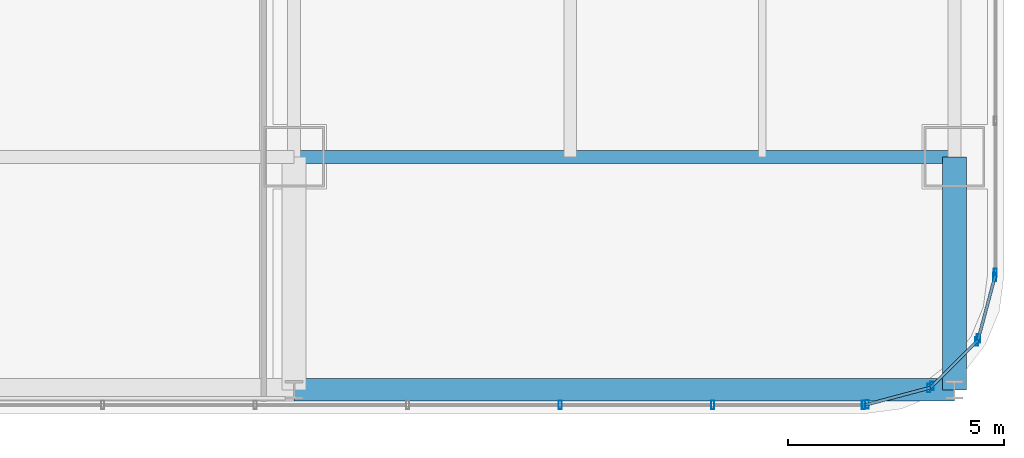
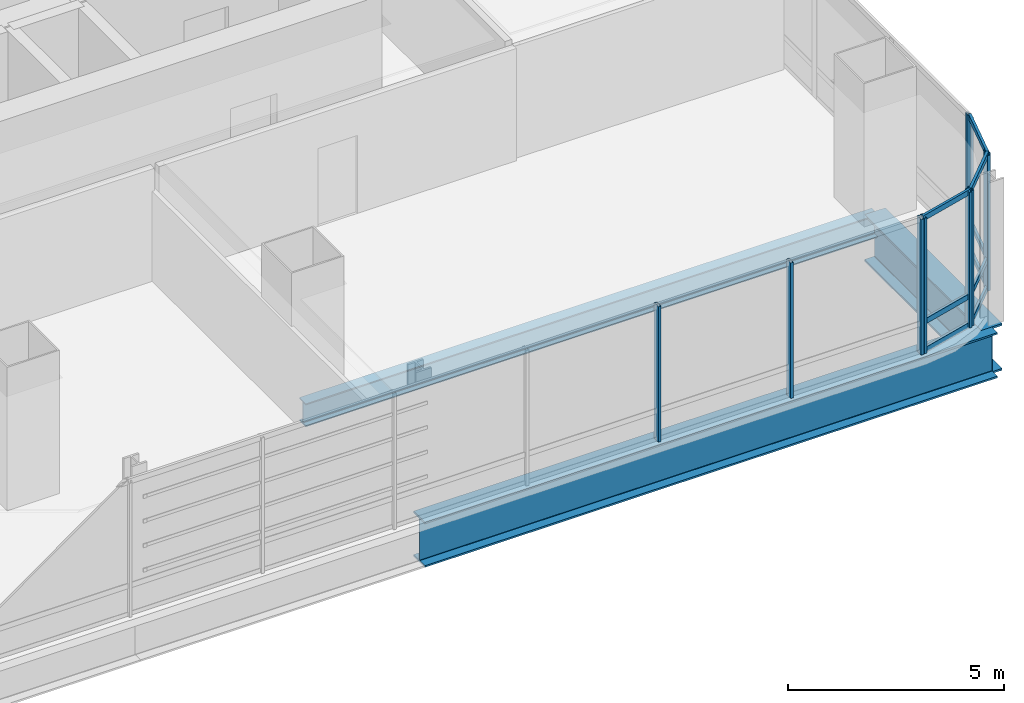
# One storey, part 13 of 36: 19 members, 3 beams, 5 elements without a shape of their own.
"""IFC4 building model written with IfcOpenShell, lengths in metres."""

import ifcopenshell
import ifcopenshell.guid

model = None  # the IFC model being written
_history = None  # IfcOwnerHistory: only IFC2X3 demands one
_inside = {}  # id of a spatial element -> (the spatial element, [elements in it])
_under = {}  # id of a project, library or spatial element -> (it, [spatial elements below it])
_declared = {}  # id of a project -> (the project, [libraries it declares])
_typed = {}  # id of a type object -> (the type object, [elements of that type])
_made_of = {}  # id of a material, layer set ... -> (it, [elements and type objects made of it])


def new_model(schema):
    """Start an empty IFC model of exactly this schema.

    Asked for "IFC4X3", IfcOpenShell would pick the latest addendum, in which some entities
    have other attributes; the version numbers below select the first issue.
    IFC2X3 requires an IfcOwnerHistory on every rooted entity: one is made here for all.
    """
    global model, _history
    if schema == "IFC4X3":
        model = ifcopenshell.file(schema_version=(4, 3, 0, 0))
    else:
        model = ifcopenshell.file(schema=schema)
    _inside.clear()
    _under.clear()
    _declared.clear()
    _typed.clear()
    _made_of.clear()
    _history = None
    if model.schema == "IFC2X3":
        org = make("IfcOrganization", Name="unknown")
        user = make(
            "IfcPersonAndOrganization",
            ThePerson=make("IfcPerson", FamilyName="unknown"),
            TheOrganization=org,
        )
        app = make(
            "IfcApplication",
            ApplicationDeveloper=org,
            Version="unknown",
            ApplicationFullName="unknown",
            ApplicationIdentifier="unknown",
        )
        _history = make(
            "IfcOwnerHistory",
            OwningUser=user,
            OwningApplication=app,
            ChangeAction="ADDED",
            CreationDate=0,
        )
    return model


def make(cls, **values):
    """One entity of the class cls with the attributes given. An attribute that is None is left unset."""
    return model.create_entity(
        cls, **{name: value for name, value in values.items() if value is not None}
    )


def rooted(cls, **values):
    """An entity with a GlobalId (a new one), such as an element, a storey or a relation."""
    return make(cls, GlobalId=ifcopenshell.guid.new(), OwnerHistory=_history, **values)


def si_unit(unit_type, name, prefix=None):
    """IfcSIUnit, for example si_unit("LENGTHUNIT", "METRE", prefix="MILLI")."""
    return make("IfcSIUnit", UnitType=unit_type, Prefix=prefix, Name=name)


def assignment(units):
    """IfcUnitAssignment: the units of a project."""
    return None if units is None else make("IfcUnitAssignment", Units=units)


def point(xyz):
    """IfcCartesianPoint."""
    return None if xyz is None else make("IfcCartesianPoint", Coordinates=xyz)


def direction(xyz):
    """IfcDirection."""
    return None if xyz is None else make("IfcDirection", DirectionRatios=xyz)


def frame(location, z_axis=None, x_axis=None):
    """IfcAxis2Placement3D, a coordinate frame: its origin and axes. An axis left out is left unset."""
    return make(
        "IfcAxis2Placement3D",
        Location=point(location),
        Axis=direction(z_axis),
        RefDirection=direction(x_axis),
    )


def frame_2d(location, x_axis=None):
    """IfcAxis2Placement2D, a coordinate frame in the plane: its origin and x axis."""
    return make(
        "IfcAxis2Placement2D", Location=point(location), RefDirection=direction(x_axis)
    )


def origin():
    """The frame at (0, 0, 0) with its axes left unset."""
    return frame((0.0, 0.0, 0.0))


def origin_2d():
    """The frame at (0, 0) in the plane with its x axis left unset."""
    return frame_2d((0.0, 0.0))


def place(relative_to, where):
    """IfcLocalPlacement: puts the frame where relative to a parent placement (None: the world)."""
    return make(
        "IfcLocalPlacement", PlacementRelTo=relative_to, RelativePlacement=where
    )


def context(
    kind, dimensions, precision=None, world=None, true_north=None, identifier=None
):
    """IfcGeometricRepresentationContext, for example the 3D "Model" context."""
    return make(
        "IfcGeometricRepresentationContext",
        ContextIdentifier=identifier,
        ContextType=kind,
        CoordinateSpaceDimension=dimensions,
        Precision=precision,
        WorldCoordinateSystem=world,
        TrueNorth=true_north,
    )


def subcontext(parent, identifier, kind, view, scale=None):
    """IfcGeometricRepresentationSubContext, for example "Body" below "Model"."""
    return make(
        "IfcGeometricRepresentationSubContext",
        ContextIdentifier=identifier,
        ContextType=kind,
        ParentContext=parent,
        TargetScale=scale,
        TargetView=view,
    )


def project(units=None, contexts=None):
    """IfcProject with its units and contexts."""
    return rooted(
        "IfcProject",
        Name="project",
        RepresentationContexts=contexts,
        UnitsInContext=assignment(units),
    )


def spatial(cls, under=None, at=None, **own):
    """A site, building, storey or space (cls), placed at a placement, below another one or the project."""
    s = rooted(cls, ObjectPlacement=at, **own)
    if under is not None:
        _under.setdefault(under.id(), (under, []))[1].append(s)
    return s


def profile(cls, at=None, kind="AREA", **sizes):
    """A parametric profile (cls). Its sizes go by their IFC names, for example OverallWidth=200.0."""
    return make(cls, ProfileType=kind, Position=at, **sizes)


def hollow_rectangle(**sizes):
    """IfcRectangleHollowProfileDef."""
    return profile("IfcRectangleHollowProfileDef", **sizes)


def i_section(**sizes):
    """IfcIShapeProfileDef."""
    return profile("IfcIShapeProfileDef", **sizes)


def extrude(swept, where, along, depth):
    """IfcExtrudedAreaSolid: the profile swept, set in the frame where, extruded along a direction by depth."""
    return make(
        "IfcExtrudedAreaSolid",
        SweptArea=swept,
        Position=where,
        ExtrudedDirection=direction(along),
        Depth=depth,
    )


def shape(context_of_items, identifier, shape_type, items):
    """IfcShapeRepresentation: the items that make up one representation, for example the "Body"."""
    return make(
        "IfcShapeRepresentation",
        ContextOfItems=context_of_items,
        RepresentationIdentifier=identifier,
        RepresentationType=shape_type,
        Items=items,
    )


def material(Name=None, Category=None):
    """IfcMaterial."""
    return make("IfcMaterial", Name=Name, Category=Category)


def material_profile(
    of_material, cross_section, Name=None, Category=None, Priority=None
):
    """IfcMaterialProfile: a cross section and its material."""
    return make(
        "IfcMaterialProfile",
        Name=Name,
        Material=of_material,
        Profile=cross_section,
        Priority=Priority,
        Category=Category,
    )


def profile_set(profiles, Name=None, composite=None):
    """IfcMaterialProfileSet."""
    return make(
        "IfcMaterialProfileSet",
        Name=Name,
        MaterialProfiles=profiles,
        CompositeProfile=composite,
    )


def made_of(thing, what):
    """Note that an element or type object is made of a material, layer set ...; save() writes the relation."""
    if what is not None:
        _made_of.setdefault(what.id(), (what, []))[1].append(thing)
    return thing


def type_object(cls, material=None, **own):
    """A type object (cls), such as IfcWallType, which elements share."""
    return made_of(rooted(cls, **own), material)


def element(
    cls,
    number,
    at=None,
    inside=None,
    cuts=None,
    type_object=None,
    material=None,
    context=None,
    identifier="Body",
    shape_type=None,
    held_by="IfcProductDefinitionShape",
    body=None,
    shapes=None,
    **own,
):
    """One element of the class cls, such as IfcWall. Its Tag is "e" and its number.

    at: its placement. inside: the storey or other place that contains it. cuts: it is an
    opening in that element (IfcRelVoidsElement). A single representation is given by context,
    identifier, shape_type and body (its items); several are given by shapes. held_by: the class
    of the entity that holds the representations. save() writes the other relations.
    """
    e = rooted(cls, Tag="e%d" % number, ObjectPlacement=at, **own)
    if body is not None:
        shapes = [shape(context, identifier, shape_type, body)]
    if shapes is not None:
        e.Representation = make(held_by, Representations=shapes)
    if inside is not None:
        _inside.setdefault(inside.id(), (inside, []))[1].append(e)
    if cuts is not None:
        rooted(
            "IfcRelVoidsElement", RelatingBuildingElement=cuts, RelatedOpeningElement=e
        )
    if type_object is not None:
        _typed.setdefault(type_object.id(), (type_object, []))[1].append(e)
    return made_of(e, material)


def aggregate(whole, parts):
    """IfcRelAggregates: a whole, such as a stair, and the parts it consists of."""
    return rooted("IfcRelAggregates", RelatingObject=whole, RelatedObjects=parts)


def save(model, path):
    """Write the relations noted so far, then the file.

    IfcRelAggregates (storeys below a building ...), IfcRelContainedInSpatialStructure (elements
    in a storey), IfcRelDefinesByType, IfcRelAssociatesMaterial and IfcRelDeclares: one each for
    every whole, place, type object, material and project.
    """
    for whole, parts in _under.values():
        aggregate(whole, parts)
    for where, things in _inside.values():
        rooted(
            "IfcRelContainedInSpatialStructure",
            RelatedElements=things,
            RelatingStructure=where,
        )
    for kind, things in _typed.values():
        rooted("IfcRelDefinesByType", RelatedObjects=things, RelatingType=kind)
    for what, things in _made_of.values():
        rooted("IfcRelAssociatesMaterial", RelatedObjects=things, RelatingMaterial=what)
    for by, libraries in _declared.values():
        rooted("IfcRelDeclares", RelatingContext=by, RelatedDefinitions=libraries)
    model.write(path)


model = new_model("IFC4")

# Units and contexts
model_context = context("Model", 3, precision=1e-05, world=origin(), true_north=direction((0.0, 1.0)))
body_context = subcontext(model_context, "Body", "Model", "MODEL_VIEW")
ifc_project = project(units=[si_unit("LENGTHUNIT", "METRE"), si_unit("AREAUNIT", "SQUARE_METRE"), si_unit("VOLUMEUNIT", "CUBIC_METRE"), si_unit("PLANEANGLEUNIT", "RADIAN"), si_unit("MASSUNIT", "GRAM", prefix="KILO")], contexts=[model_context])

# Site, building, storey
site_placement = place(None, origin())
site = spatial("IfcSite", under=ifc_project, at=site_placement, CompositionType="ELEMENT")
building_placement = place(site_placement, origin())
building = spatial("IfcBuilding", under=site, at=building_placement, Name="Punatoya Terracotta Tower", CompositionType="ELEMENT")
storey_placement = place(building_placement, frame((0.0, 0.0, 184.35009765625)))
storey = spatial("IfcBuildingStorey", under=building, at=storey_placement, Name="L43", CompositionType="ELEMENT", Elevation=184.35009765625)

# Beams
ifc_material_1 = material(Name="Steel S355", Category="steel")
ifc_material_profile_1 = material_profile(ifc_material_1, i_section(OverallWidth=0.300048828125, OverallDepth=0.64990234375, WebThickness=0.01611328125, FlangeThickness=0.031005859375, FilletRadius=0.01806640625, at=origin_2d()))
ifc_profile_set_1 = profile_set([ifc_material_profile_1], Name="Steel S355")
beam_type_1 = type_object("IfcBeamType", Name="BM-PRI-650", PredefinedType="BEAM", material=ifc_profile_set_1)
beam_1_placement = place(storey_placement, frame((3.800048828125, -17.5, -0.545166015625), z_axis=(1.0, 0.0, 0.0), x_axis=(0.0, 1.0, 0.0)))
element("IfcBeam", 1, at=beam_1_placement, inside=storey, type_object=beam_type_1, Name="BM-L43-RG-S3", PredefinedType="BEAM", context=body_context, shape_type="SweptSolid", body=[
    extrude(i_section(OverallWidth=0.300048828125, OverallDepth=0.64990234375, WebThickness=0.01611328125, FlangeThickness=0.031005859375, FilletRadius=0.01806640625, at=origin_2d()), origin(), (0.0, 0.0, 1.0), 15.300048828125),
])
ifc_material_2 = material(Name="Steel S460", Category="steel")
ifc_material_profile_2 = material_profile(ifc_material_2, i_section(OverallWidth=0.56005859375, OverallDepth=1.320068359375, WebThickness=0.035888671875, FlangeThickness=0.054931640625, FilletRadius=0.01806640625, at=origin_2d()))
ifc_profile_set_2 = profile_set([ifc_material_profile_2], Name="Steel S460")
beam_type_2 = type_object("IfcBeamType", Name="BM-TG-BLK", PredefinedType="BEAM", material=ifc_profile_set_2)
beam_2_placement = place(storey_placement, frame((19.10009765625, -22.89990234375, -0.880126953125), z_axis=(0.0, 1.0, 0.0), x_axis=(-1.0, 0.0, 0.0)))
element("IfcBeam", 2, at=beam_2_placement, inside=storey, type_object=beam_type_2, Name="BM-L43-CANT-S4", PredefinedType="BEAM", context=body_context, shape_type="SweptSolid", body=[
    extrude(i_section(OverallWidth=0.56005859375, OverallDepth=1.320068359375, WebThickness=0.035888671875, FlangeThickness=0.054931640625, FilletRadius=0.01806640625, at=origin_2d()), origin(), (0.0, 0.0, 1.0), 5.39990234375),
])
ifc_material_profile_3 = material_profile(ifc_material_2, i_section(OverallWidth=0.52001953125, OverallDepth=1.280029296875, WebThickness=0.031982421875, FlangeThickness=0.050048828125, FilletRadius=0.01806640625, at=origin_2d()))
ifc_profile_set_3 = profile_set([ifc_material_profile_3], Name="Steel S460")
beam_type_3 = type_object("IfcBeamType", Name="BM-TG-NCK", PredefinedType="BEAM", material=ifc_profile_set_3)
beam_3_placement = place(storey_placement, frame((3.800048828125, -22.89990234375, -0.860107421875), z_axis=(1.0, 0.0, 0.0), x_axis=(0.0, 1.0, 0.0)))
element("IfcBeam", 3, at=beam_3_placement, inside=storey, type_object=beam_type_3, Name="BM-L43-PER-S3", PredefinedType="BEAM", context=body_context, shape_type="SweptSolid", body=[
    extrude(i_section(OverallWidth=0.52001953125, OverallDepth=1.280029296875, WebThickness=0.031982421875, FlangeThickness=0.050048828125, FilletRadius=0.01806640625, at=origin_2d()), origin(), (0.0, 0.0, 1.0), 15.300048828125),
])

# Curtain wall, members
ifc_material_3 = material(Name="Aluminium 6063-T6 + Double Low-E Glass", Category="aluminium")
curtain_wall_type = type_object("IfcCurtainWallType", Name="CW-M2", PredefinedType="NOTDEFINED", material=ifc_material_3)
curtain_wall_1_placement = place(storey_placement, origin())
curtain_wall_1 = element("IfcCurtainWall", 4, at=curtain_wall_1_placement, inside=storey, type_object=curtain_wall_type, Name="L43 Curtain Wall CW-L43-S01-1", PredefinedType="NOTDEFINED")
ifc_material_4 = material(Name="Aluminium 6063-T6", Category="aluminium")
ifc_material_profile_4 = material_profile(ifc_material_4, hollow_rectangle(XDim=0.072021484375, YDim=0.195068359375, WallThickness=0.00439453125, at=origin_2d()))
ifc_profile_set_4 = profile_set([ifc_material_profile_4], Name="Aluminium 6063-T6")
member_type_1 = type_object("IfcMemberType", Name="CW-MUL-M2", PredefinedType="MULLION", material=ifc_profile_set_4)
member_1_placement = place(storey_placement, frame((9.968994140625, -23.25, 0.0), z_axis=(0.0, 0.0, 1.0), x_axis=(1.0, 0.0, 0.0)))
member_1 = element("IfcMember", 5, at=member_1_placement, type_object=member_type_1, Name="CW-L43-S01-1 Mullion 09", PredefinedType="MULLION", context=body_context, shape_type="SweptSolid", body=[
    extrude(hollow_rectangle(XDim=0.072021484375, YDim=0.195068359375, WallThickness=0.00439453125, at=origin_2d()), origin(), (0.0, 0.0, 1.0), 3.829833984375),
])
member_2_placement = place(storey_placement, frame((13.5029296875, -23.25, 0.0), z_axis=(0.0, 0.0, 1.0), x_axis=(1.0, 0.0, 0.0)))
member_2 = element("IfcMember", 6, at=member_2_placement, type_object=member_type_1, Name="CW-L43-S01-1 Mullion 10", PredefinedType="MULLION", context=body_context, shape_type="SweptSolid", body=[
    extrude(hollow_rectangle(XDim=0.072021484375, YDim=0.195068359375, WallThickness=0.00439453125, at=origin_2d()), origin(), (0.0, 0.0, 1.0), 3.829833984375),
])
member_3_placement = place(storey_placement, frame((16.991943359375, -23.25, 0.0), z_axis=(0.0, 0.0, 1.0), x_axis=(1.0, 0.0, 0.0)))
member_3 = element("IfcMember", 7, at=member_3_placement, type_object=member_type_1, Name="CW-L43-S01-1 Mullion 11", PredefinedType="MULLION", context=body_context, shape_type="SweptSolid", body=[
    extrude(hollow_rectangle(XDim=0.072021484375, YDim=0.195068359375, WallThickness=0.00439453125, at=origin_2d()), origin(), (0.0, 0.0, 1.0), 3.829833984375),
])
aggregate(curtain_wall_1, [member_1, member_2, member_3])

curtain_wall_2_placement = place(storey_placement, origin())
curtain_wall_2 = element("IfcCurtainWall", 8, at=curtain_wall_2_placement, inside=storey, type_object=curtain_wall_type, Name="L43 Curtain Wall CW-L43-CRN02", PredefinedType="NOTDEFINED")
member_4_placement = place(storey_placement, frame((17.080322265625, -23.23828125, 0.0), z_axis=(0.0, 0.0, 1.0), x_axis=(1.0, 0.0, 0.0)))
member_4 = element("IfcMember", 9, at=member_4_placement, type_object=member_type_1, Name="CW-L43-CRN02 Mullion 00", PredefinedType="MULLION", context=body_context, shape_type="SweptSolid", body=[
    extrude(hollow_rectangle(XDim=0.072021484375, YDim=0.195068359375, WallThickness=0.00439453125, at=origin_2d()), origin(), (0.0, 0.0, 1.0), 3.829833984375),
])
member_5_placement = place(storey_placement, frame((18.505615234375, -22.858154296875, 0.0), z_axis=(0.0, 0.0, 1.0), x_axis=(1.0, 0.0, 0.0)))
member_5 = element("IfcMember", 10, at=member_5_placement, type_object=member_type_1, Name="CW-L43-CRN02 Mullion 01", PredefinedType="MULLION", context=body_context, shape_type="SweptSolid", body=[
    extrude(hollow_rectangle(XDim=0.072021484375, YDim=0.195068359375, WallThickness=0.00439453125, at=origin_2d()), origin(), (0.0, 0.0, 1.0), 3.829833984375),
])

curtain_wall_3_placement = place(storey_placement, origin())
curtain_wall_3 = element("IfcCurtainWall", 11, at=curtain_wall_3_placement, inside=storey, type_object=curtain_wall_type, Name="L43 Curtain Wall CW-L43-CRN03", PredefinedType="NOTDEFINED")
member_6_placement = place(storey_placement, frame((18.580810546875, -22.814697265625, 0.0), z_axis=(0.0, 0.0, 1.0), x_axis=(1.0, 0.0, 0.0)))
member_6 = element("IfcMember", 12, at=member_6_placement, type_object=member_type_1, Name="CW-L43-CRN03 Mullion 00", PredefinedType="MULLION", context=body_context, shape_type="SweptSolid", body=[
    extrude(hollow_rectangle(XDim=0.072021484375, YDim=0.195068359375, WallThickness=0.00439453125, at=origin_2d()), origin(), (0.0, 0.0, 1.0), 3.829833984375),
])
member_7_placement = place(storey_placement, frame((19.61474609375, -21.781005859375, 0.0), z_axis=(0.0, 0.0, 1.0), x_axis=(1.0, 0.0, 0.0)))
member_7 = element("IfcMember", 13, at=member_7_placement, type_object=member_type_1, Name="CW-L43-CRN03 Mullion 01", PredefinedType="MULLION", context=body_context, shape_type="SweptSolid", body=[
    extrude(hollow_rectangle(XDim=0.072021484375, YDim=0.195068359375, WallThickness=0.00439453125, at=origin_2d()), origin(), (0.0, 0.0, 1.0), 3.829833984375),
])

curtain_wall_4_placement = place(storey_placement, origin())
curtain_wall_4 = element("IfcCurtainWall", 14, at=curtain_wall_4_placement, inside=storey, type_object=curtain_wall_type, Name="L43 Curtain Wall CW-L43-CRN04", PredefinedType="NOTDEFINED")
member_8_placement = place(storey_placement, frame((19.658203125, -21.70556640625, 0.0), z_axis=(0.0, 0.0, 1.0), x_axis=(1.0, 0.0, 0.0)))
member_8 = element("IfcMember", 15, at=member_8_placement, type_object=member_type_1, Name="CW-L43-CRN04 Mullion 00", PredefinedType="MULLION", context=body_context, shape_type="SweptSolid", body=[
    extrude(hollow_rectangle(XDim=0.072021484375, YDim=0.195068359375, WallThickness=0.00439453125, at=origin_2d()), origin(), (0.0, 0.0, 1.0), 3.829833984375),
])
member_9_placement = place(storey_placement, frame((20.038330078125, -20.280517578125, 0.0), z_axis=(0.0, 0.0, 1.0), x_axis=(1.0, 0.0, 0.0)))
member_9 = element("IfcMember", 16, at=member_9_placement, type_object=member_type_1, Name="CW-L43-CRN04 Mullion 01", PredefinedType="MULLION", context=body_context, shape_type="SweptSolid", body=[
    extrude(hollow_rectangle(XDim=0.072021484375, YDim=0.195068359375, WallThickness=0.00439453125, at=origin_2d()), origin(), (0.0, 0.0, 1.0), 3.829833984375),
])

# Curtain wall, member
curtain_wall_5_placement = place(storey_placement, origin())
curtain_wall_5 = element("IfcCurtainWall", 17, at=curtain_wall_5_placement, inside=storey, type_object=curtain_wall_type, Name="L43 Curtain Wall CW-L43-E05-1", PredefinedType="NOTDEFINED")
member_10_placement = place(storey_placement, frame((20.050048828125, -20.19189453125, 0.0), z_axis=(0.0, 0.0, 1.0), x_axis=(1.0, 0.0, 0.0)))
member_10 = element("IfcMember", 18, at=member_10_placement, type_object=member_type_1, Name="CW-L43-E05-1 Mullion 00", PredefinedType="MULLION", context=body_context, shape_type="SweptSolid", body=[
    extrude(hollow_rectangle(XDim=0.072021484375, YDim=0.195068359375, WallThickness=0.00439453125, at=origin_2d()), origin(), (0.0, 0.0, 1.0), 3.829833984375),
])
aggregate(curtain_wall_5, [member_10])

# Member
ifc_material_profile_5 = material_profile(ifc_material_4, hollow_rectangle(XDim=0.068115234375, YDim=0.14990234375, WallThickness=0.00390625, at=origin_2d()))
ifc_profile_set_5 = profile_set([ifc_material_profile_5], Name="Aluminium 6063-T6")
member_type_2 = type_object("IfcMemberType", Name="CW-TRN-TYP", PredefinedType="USERDEFINED", material=ifc_profile_set_5)
member_11_placement = place(storey_placement, frame((17.036865234375, -23.25, 0.039794921875), z_axis=(0.966224582397, 0.257701486942, 0.0), x_axis=(-0.257701486942, 0.966224582397, 0.0)))
member_11 = element("IfcMember", 19, at=member_11_placement, type_object=member_type_2, Name="CW-L43-CRN02 Transom 1", ObjectType="TRANSOM", PredefinedType="USERDEFINED", context=body_context, shape_type="SweptSolid", body=[
    extrude(hollow_rectangle(XDim=0.068115234375, YDim=0.14990234375, WallThickness=0.00390625, at=origin_2d()), origin(), (0.0, 0.0, 1.0), 1.565185546875),
])

member_12_placement = place(storey_placement, frame((17.036865234375, -23.25, 0.849853515625), z_axis=(0.966224582397, 0.257701486942, 0.0), x_axis=(-0.257701486942, 0.966224582397, 0.0)))
member_12 = element("IfcMember", 20, at=member_12_placement, type_object=member_type_2, Name="CW-L43-CRN02 Transom 2", ObjectType="TRANSOM", PredefinedType="USERDEFINED", context=body_context, shape_type="SweptSolid", body=[
    extrude(hollow_rectangle(XDim=0.068115234375, YDim=0.14990234375, WallThickness=0.00390625, at=origin_2d()), origin(), (0.0, 0.0, 1.0), 1.565185546875),
])

member_13_placement = place(storey_placement, frame((17.036865234375, -23.25, 3.789794921875), z_axis=(0.966224582397, 0.257701486942, 0.0), x_axis=(-0.257701486942, 0.966224582397, 0.0)))
member_13 = element("IfcMember", 21, at=member_13_placement, type_object=member_type_2, Name="CW-L43-CRN02 Transom 3", ObjectType="TRANSOM", PredefinedType="USERDEFINED", context=body_context, shape_type="SweptSolid", body=[
    extrude(hollow_rectangle(XDim=0.068115234375, YDim=0.14990234375, WallThickness=0.00390625, at=origin_2d()), origin(), (0.0, 0.0, 1.0), 1.565185546875),
])

aggregate(curtain_wall_2, [member_4, member_5, member_11, member_12, member_13])

member_14_placement = place(storey_placement, frame((18.549072265625, -22.8466796875, 0.039794921875), z_axis=(0.707028130747, 0.707185422879, 0.0), x_axis=(-0.707185422879, 0.707028130747, 0.0)))
member_14 = element("IfcMember", 22, at=member_14_placement, type_object=member_type_2, Name="CW-L43-CRN03 Transom 1", ObjectType="TRANSOM", PredefinedType="USERDEFINED", context=body_context, shape_type="SweptSolid", body=[
    extrude(hollow_rectangle(XDim=0.068115234375, YDim=0.14990234375, WallThickness=0.00390625, at=origin_2d()), origin(), (0.0, 0.0, 1.0), 1.55224609375),
])

member_15_placement = place(storey_placement, frame((18.549072265625, -22.8466796875, 0.849853515625), z_axis=(0.707028130747, 0.707185422879, 0.0), x_axis=(-0.707185422879, 0.707028130747, 0.0)))
member_15 = element("IfcMember", 23, at=member_15_placement, type_object=member_type_2, Name="CW-L43-CRN03 Transom 2", ObjectType="TRANSOM", PredefinedType="USERDEFINED", context=body_context, shape_type="SweptSolid", body=[
    extrude(hollow_rectangle(XDim=0.068115234375, YDim=0.14990234375, WallThickness=0.00390625, at=origin_2d()), origin(), (0.0, 0.0, 1.0), 1.55224609375),
])

member_16_placement = place(storey_placement, frame((18.549072265625, -22.8466796875, 3.789794921875), z_axis=(0.707028130747, 0.707185422879, 0.0), x_axis=(-0.707185422879, 0.707028130747, 0.0)))
member_16 = element("IfcMember", 24, at=member_16_placement, type_object=member_type_2, Name="CW-L43-CRN03 Transom 3", ObjectType="TRANSOM", PredefinedType="USERDEFINED", context=body_context, shape_type="SweptSolid", body=[
    extrude(hollow_rectangle(XDim=0.068115234375, YDim=0.14990234375, WallThickness=0.00390625, at=origin_2d()), origin(), (0.0, 0.0, 1.0), 1.55224609375),
])

aggregate(curtain_wall_3, [member_6, member_7, member_14, member_15, member_16])

member_17_placement = place(storey_placement, frame((19.646484375, -21.7490234375, 0.039794921875), z_axis=(0.257847112249, 0.966185730957, 0.0), x_axis=(-0.966185730957, 0.257847112249, 0.0)))
member_17 = element("IfcMember", 25, at=member_17_placement, type_object=member_type_2, Name="CW-L43-CRN04 Transom 1", ObjectType="TRANSOM", PredefinedType="USERDEFINED", context=body_context, shape_type="SweptSolid", body=[
    extrude(hollow_rectangle(XDim=0.068115234375, YDim=0.14990234375, WallThickness=0.00390625, at=origin_2d()), origin(), (0.0, 0.0, 1.0), 1.565185546875),
])

member_18_placement = place(storey_placement, frame((19.646484375, -21.7490234375, 0.849853515625), z_axis=(0.257847112249, 0.966185730957, 0.0), x_axis=(-0.966185730957, 0.257847112249, 0.0)))
member_18 = element("IfcMember", 26, at=member_18_placement, type_object=member_type_2, Name="CW-L43-CRN04 Transom 2", ObjectType="TRANSOM", PredefinedType="USERDEFINED", context=body_context, shape_type="SweptSolid", body=[
    extrude(hollow_rectangle(XDim=0.068115234375, YDim=0.14990234375, WallThickness=0.00390625, at=origin_2d()), origin(), (0.0, 0.0, 1.0), 1.565185546875),
])

member_19_placement = place(storey_placement, frame((19.646484375, -21.7490234375, 3.789794921875), z_axis=(0.257847112249, 0.966185730957, 0.0), x_axis=(-0.966185730957, 0.257847112249, 0.0)))
member_19 = element("IfcMember", 27, at=member_19_placement, type_object=member_type_2, Name="CW-L43-CRN04 Transom 3", ObjectType="TRANSOM", PredefinedType="USERDEFINED", context=body_context, shape_type="SweptSolid", body=[
    extrude(hollow_rectangle(XDim=0.068115234375, YDim=0.14990234375, WallThickness=0.00390625, at=origin_2d()), origin(), (0.0, 0.0, 1.0), 1.565185546875),
])

aggregate(curtain_wall_4, [member_8, member_9, member_17, member_18, member_19])

save(model, "model.ifc")
